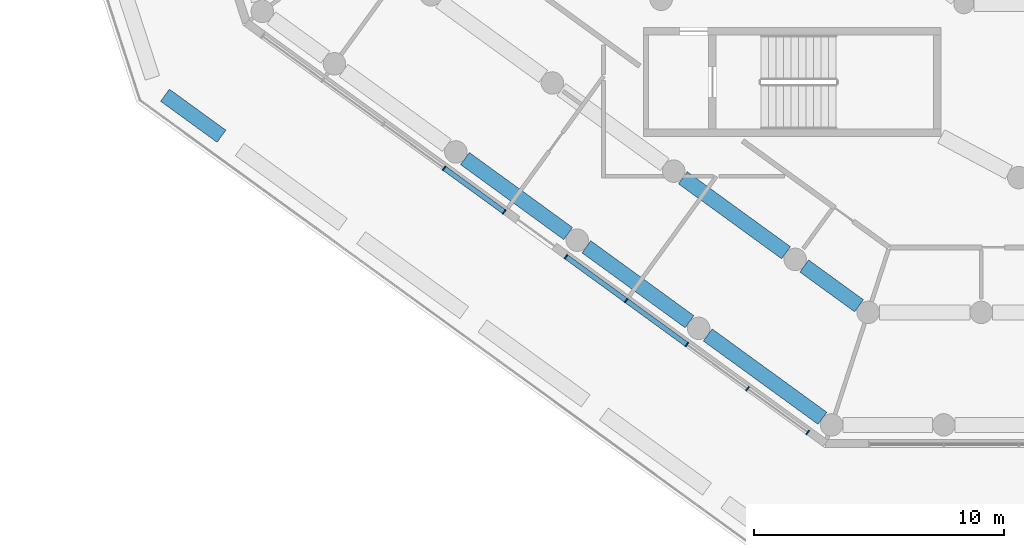
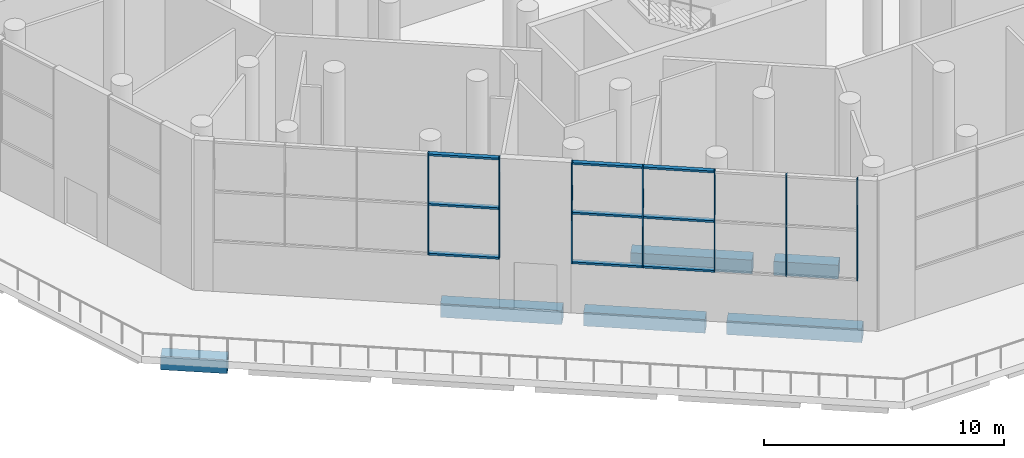
# One storey, part 2 of 23: 16 members, 6 beams, 2 elements without a shape of their own.
"""IFC4 building model written with IfcOpenShell, lengths in metres."""

from ifc_helpers import new_model, si_unit, direction, frame, origin, origin_2d, place, context, subcontext, project, spatial, rectangle, extrude, material, material_profile, profile_set, type_object, element, aggregate, save


model = new_model("IFC4")

# Units and contexts
model_context = context("Model", 3, precision=1e-05, world=origin(), true_north=direction((0.0, 1.0)))
body_context = subcontext(model_context, "Body", "Model", "MODEL_VIEW")
ifc_project = project(units=[si_unit("LENGTHUNIT", "METRE"), si_unit("AREAUNIT", "SQUARE_METRE"), si_unit("VOLUMEUNIT", "CUBIC_METRE"), si_unit("PLANEANGLEUNIT", "RADIAN"), si_unit("MASSUNIT", "GRAM", prefix="KILO")], contexts=[model_context])

# Site, building, storey
site_placement = place(None, origin())
site = spatial("IfcSite", under=ifc_project, at=site_placement, CompositionType="ELEMENT")
building_placement = place(site_placement, origin())
building = spatial("IfcBuilding", under=site, at=building_placement, Name="White Candle Pilgrim Tower", CompositionType="ELEMENT")
storey_placement = place(building_placement, frame((0.0, 0.0, 15.0)))
storey = spatial("IfcBuildingStorey", under=building, at=storey_placement, Name="L02", CompositionType="ELEMENT", Elevation=15.0)

# Curtain wall, members
ifc_material_1 = material(Name="Aluminium and glass", Category="aluminium")
curtain_wall_type = type_object("IfcCurtainWallType", Name="Curtain wall CW2 prayer hall clerestory", PredefinedType="NOTDEFINED", material=ifc_material_1)
curtain_wall_1_placement = place(storey_placement, origin())
curtain_wall_1 = element("IfcCurtainWall", 1, at=curtain_wall_1_placement, inside=storey, type_object=curtain_wall_type, Name="Curtain wall CW2 L02 SW", PredefinedType="NOTDEFINED")
ifc_material_2 = material(Name="Aluminium", Category="aluminium")
ifc_material_profile_1 = material_profile(ifc_material_2, rectangle(XDim=0.199951171875, YDim=0.050048828125, at=origin_2d()), Name="CW2 mullion 50x200")
ifc_profile_set_1 = profile_set([ifc_material_profile_1], Name="Aluminium")
member_type_1 = type_object("IfcMemberType", Name="CW2 mullion 50x200", PredefinedType="MULLION", material=ifc_profile_set_1)
member_1_placement = place(storey_placement, frame((47.021240234375, 40.0283203125, 2.5), z_axis=(0.0, 0.0, 1.0), x_axis=(0.587785249398, 0.809016996478, 0.0)))
member_1 = element("IfcMember", 2, at=member_1_placement, type_object=member_type_1, Name="CW2 mullion 4", PredefinedType="MULLION", context=body_context, shape_type="SweptSolid", body=[
    extrude(rectangle(XDim=0.199951171875, YDim=0.050048828125, at=origin_2d()), origin(), (0.0, 0.0, 1.0), 5.14990234375),
])
member_2_placement = place(storey_placement, frame((49.42822265625, 38.27978515625, 2.5), z_axis=(0.0, 0.0, 1.0), x_axis=(0.587785249398, 0.809016996478, 0.0)))
member_2 = element("IfcMember", 3, at=member_2_placement, type_object=member_type_1, Name="CW2 mullion 5", PredefinedType="MULLION", context=body_context, shape_type="SweptSolid", body=[
    extrude(rectangle(XDim=0.199951171875, YDim=0.050048828125, at=origin_2d()), origin(), (0.0, 0.0, 1.0), 5.14990234375),
])

curtain_wall_2_placement = place(storey_placement, origin())
curtain_wall_2 = element("IfcCurtainWall", 4, at=curtain_wall_2_placement, inside=storey, type_object=curtain_wall_type, Name="Curtain wall CW2 L02 SW", PredefinedType="NOTDEFINED")
member_3_placement = place(storey_placement, frame((51.8955078125, 36.487060546875, 2.5), z_axis=(0.0, 0.0, 1.0), x_axis=(0.587785249341, 0.809016996519, 0.0)))
member_3 = element("IfcMember", 5, at=member_3_placement, type_object=member_type_1, Name="CW2 mullion 1", PredefinedType="MULLION", context=body_context, shape_type="SweptSolid", body=[
    extrude(rectangle(XDim=0.199951171875, YDim=0.050048828125, at=origin_2d()), origin(), (0.0, 0.0, 1.0), 5.14990234375),
])
member_4_placement = place(storey_placement, frame((54.302490234375, 34.73828125, 2.5), z_axis=(0.0, 0.0, 1.0), x_axis=(0.587785249341, 0.809016996519, 0.0)))
member_4 = element("IfcMember", 6, at=member_4_placement, type_object=member_type_1, Name="CW2 mullion 2", PredefinedType="MULLION", context=body_context, shape_type="SweptSolid", body=[
    extrude(rectangle(XDim=0.199951171875, YDim=0.050048828125, at=origin_2d()), origin(), (0.0, 0.0, 1.0), 5.14990234375),
])
member_5_placement = place(storey_placement, frame((56.7294921875, 32.974853515625, 2.5), z_axis=(0.0, 0.0, 1.0), x_axis=(0.587785249341, 0.809016996519, 0.0)))
member_5 = element("IfcMember", 7, at=member_5_placement, type_object=member_type_1, Name="CW2 mullion 3", PredefinedType="MULLION", context=body_context, shape_type="SweptSolid", body=[
    extrude(rectangle(XDim=0.199951171875, YDim=0.050048828125, at=origin_2d()), origin(), (0.0, 0.0, 1.0), 5.14990234375),
])
member_6_placement = place(storey_placement, frame((59.156494140625, 31.211669921875, 2.5), z_axis=(0.0, 0.0, 1.0), x_axis=(0.587785249341, 0.809016996519, 0.0)))
member_6 = element("IfcMember", 8, at=member_6_placement, type_object=member_type_1, Name="CW2 mullion 4", PredefinedType="MULLION", context=body_context, shape_type="SweptSolid", body=[
    extrude(rectangle(XDim=0.199951171875, YDim=0.050048828125, at=origin_2d()), origin(), (0.0, 0.0, 1.0), 5.14990234375),
])
member_7_placement = place(storey_placement, frame((61.5634765625, 29.462890625, 2.5), z_axis=(0.0, 0.0, 1.0), x_axis=(0.587785249341, 0.809016996519, 0.0)))
member_7 = element("IfcMember", 9, at=member_7_placement, type_object=member_type_1, Name="CW2 mullion 5", PredefinedType="MULLION", context=body_context, shape_type="SweptSolid", body=[
    extrude(rectangle(XDim=0.199951171875, YDim=0.050048828125, at=origin_2d()), origin(), (0.0, 0.0, 1.0), 5.14990234375),
])

# Member
ifc_material_profile_2 = material_profile(ifc_material_2, rectangle(XDim=0.199951171875, YDim=0.10009765625, at=origin_2d()), Name="CW2 transom 100x200")
ifc_profile_set_2 = profile_set([ifc_material_profile_2], Name="Aluminium")
member_type_2 = type_object("IfcMemberType", Name="CW2 transom 100x200", PredefinedType="USERDEFINED", material=ifc_profile_set_2)
member_8_placement = place(storey_placement, frame((47.04150390625, 40.013671875, 2.550048828125), z_axis=(0.80903194638, -0.587764672073, 0.0), x_axis=(0.587764672073, 0.80903194638, 0.0)))
member_8 = element("IfcMember", 10, at=member_8_placement, type_object=member_type_2, Name="CW2 transom 4.1", ObjectType="TRANSOM", PredefinedType="USERDEFINED", context=body_context, shape_type="SweptSolid", body=[
    extrude(rectangle(XDim=0.199951171875, YDim=0.10009765625, at=origin_2d()), origin(), (0.0, 0.0, 1.0), 2.925048828125),
])

member_9_placement = place(storey_placement, frame((47.04150390625, 40.013671875, 5.074951171875), z_axis=(0.80903194638, -0.587764672073, 0.0), x_axis=(0.587764672073, 0.80903194638, 0.0)))
member_9 = element("IfcMember", 11, at=member_9_placement, type_object=member_type_2, Name="CW2 transom 4.2", ObjectType="TRANSOM", PredefinedType="USERDEFINED", context=body_context, shape_type="SweptSolid", body=[
    extrude(rectangle(XDim=0.199951171875, YDim=0.10009765625, at=origin_2d()), origin(), (0.0, 0.0, 1.0), 2.925048828125),
])

member_10_placement = place(storey_placement, frame((47.04150390625, 40.013671875, 7.60009765625), z_axis=(0.80903194638, -0.587764672073, 0.0), x_axis=(0.587764672073, 0.80903194638, 0.0)))
member_10 = element("IfcMember", 12, at=member_10_placement, type_object=member_type_2, Name="CW2 transom 4.3", ObjectType="TRANSOM", PredefinedType="USERDEFINED", context=body_context, shape_type="SweptSolid", body=[
    extrude(rectangle(XDim=0.199951171875, YDim=0.10009765625, at=origin_2d()), origin(), (0.0, 0.0, 1.0), 2.925048828125),
])

aggregate(curtain_wall_1, [member_1, member_2, member_8, member_9, member_10])

member_11_placement = place(storey_placement, frame((51.915771484375, 36.47216796875, 2.550048828125), z_axis=(0.80903194638, -0.587764672073, 0.0), x_axis=(0.587764672073, 0.80903194638, 0.0)))
member_11 = element("IfcMember", 13, at=member_11_placement, type_object=member_type_2, Name="CW2 transom 1.1", ObjectType="TRANSOM", PredefinedType="USERDEFINED", context=body_context, shape_type="SweptSolid", body=[
    extrude(rectangle(XDim=0.199951171875, YDim=0.10009765625, at=origin_2d()), origin(), (0.0, 0.0, 1.0), 2.925048828125),
])

member_12_placement = place(storey_placement, frame((51.915771484375, 36.47216796875, 5.074951171875), z_axis=(0.80903194638, -0.587764672073, 0.0), x_axis=(0.587764672073, 0.80903194638, 0.0)))
member_12 = element("IfcMember", 14, at=member_12_placement, type_object=member_type_2, Name="CW2 transom 1.2", ObjectType="TRANSOM", PredefinedType="USERDEFINED", context=body_context, shape_type="SweptSolid", body=[
    extrude(rectangle(XDim=0.199951171875, YDim=0.10009765625, at=origin_2d()), origin(), (0.0, 0.0, 1.0), 2.925048828125),
])

member_13_placement = place(storey_placement, frame((51.915771484375, 36.47216796875, 7.60009765625), z_axis=(0.80903194638, -0.587764672073, 0.0), x_axis=(0.587764672073, 0.80903194638, 0.0)))
member_13 = element("IfcMember", 15, at=member_13_placement, type_object=member_type_2, Name="CW2 transom 1.3", ObjectType="TRANSOM", PredefinedType="USERDEFINED", context=body_context, shape_type="SweptSolid", body=[
    extrude(rectangle(XDim=0.199951171875, YDim=0.10009765625, at=origin_2d()), origin(), (0.0, 0.0, 1.0), 2.925048828125),
])

member_14_placement = place(storey_placement, frame((54.32275390625, 34.7236328125, 2.550048828125), z_axis=(0.809015152931, -0.587787786815, 0.0), x_axis=(0.587787786815, 0.809015152931, 0.0)))
member_14 = element("IfcMember", 16, at=member_14_placement, type_object=member_type_2, Name="CW2 transom 2.1", ObjectType="TRANSOM", PredefinedType="USERDEFINED", context=body_context, shape_type="SweptSolid", body=[
    extrude(rectangle(XDim=0.199951171875, YDim=0.10009765625, at=origin_2d()), origin(), (0.0, 0.0, 1.0), 2.949951171875),
])

member_15_placement = place(storey_placement, frame((54.32275390625, 34.7236328125, 5.074951171875), z_axis=(0.809015152931, -0.587787786815, 0.0), x_axis=(0.587787786815, 0.809015152931, 0.0)))
member_15 = element("IfcMember", 17, at=member_15_placement, type_object=member_type_2, Name="CW2 transom 2.2", ObjectType="TRANSOM", PredefinedType="USERDEFINED", context=body_context, shape_type="SweptSolid", body=[
    extrude(rectangle(XDim=0.199951171875, YDim=0.10009765625, at=origin_2d()), origin(), (0.0, 0.0, 1.0), 2.949951171875),
])

member_16_placement = place(storey_placement, frame((54.32275390625, 34.7236328125, 7.60009765625), z_axis=(0.809015152931, -0.587787786815, 0.0), x_axis=(0.587787786815, 0.809015152931, 0.0)))
member_16 = element("IfcMember", 18, at=member_16_placement, type_object=member_type_2, Name="CW2 transom 2.3", ObjectType="TRANSOM", PredefinedType="USERDEFINED", context=body_context, shape_type="SweptSolid", body=[
    extrude(rectangle(XDim=0.199951171875, YDim=0.10009765625, at=origin_2d()), origin(), (0.0, 0.0, 1.0), 2.949951171875),
])

aggregate(curtain_wall_2, [member_3, member_4, member_5, member_6, member_7, member_11, member_12, member_13, member_14, member_15, member_16])

# Beams
ifc_material_3 = material(Name="Concrete C50/60", Category="concrete")
ifc_material_profile_3 = material_profile(ifc_material_3, rectangle(XDim=0.60009765625, YDim=0.699951171875, at=origin_2d()), Name="RC-BM 600x700")
ifc_profile_set_3 = profile_set([ifc_material_profile_3], Name="Concrete C50/60")
beam_type = type_object("IfcBeamType", Name="Spandrel beam RC-BM 600x700 C50/60", PredefinedType="BEAM", material=ifc_profile_set_3)
beam_1_placement = place(storey_placement, frame((35.86083984375, 42.945556640625, -0.699951171875), z_axis=(0.809030737429, -0.587766336136, 0.0), x_axis=(0.587766336136, 0.809030737429, 0.0)))
element("IfcBeam", 19, at=beam_1_placement, inside=storey, type_object=beam_type, Name="L02 spandrel beam A04", PredefinedType="BEAM", context=body_context, shape_type="SweptSolid", body=[
    extrude(rectangle(XDim=0.60009765625, YDim=0.699951171875, at=origin_2d()), origin(), (0.0, 0.0, 1.0), 2.793701171875),
])
beam_2_placement = place(storey_placement, frame((47.85595703125, 40.41162109375, -0.699951171875), z_axis=(0.808978190317, -0.587838657789, 0.0), x_axis=(0.587838657789, 0.808978190317, 0.0)))
element("IfcBeam", 20, at=beam_2_placement, inside=storey, type_object=beam_type, Name="L02 spandrel beam B05", PredefinedType="BEAM", context=body_context, shape_type="SweptSolid", body=[
    extrude(rectangle(XDim=0.60009765625, YDim=0.699951171875, at=origin_2d()), origin(), (0.0, 0.0, 1.0), 5.1005859375),
])
beam_3_placement = place(storey_placement, frame((52.7099609375, 36.884521484375, -0.699951171875), z_axis=(0.80900095282, -0.587807330965, 0.0), x_axis=(0.587807330965, 0.80900095282, 0.0)))
element("IfcBeam", 21, at=beam_3_placement, inside=storey, type_object=beam_type, Name="L02 spandrel beam B06", PredefinedType="BEAM", context=body_context, shape_type="SweptSolid", body=[
    extrude(rectangle(XDim=0.60009765625, YDim=0.699951171875, at=origin_2d()), origin(), (0.0, 0.0, 1.0), 5.100341796875),
])
beam_4_placement = place(storey_placement, frame((57.56396484375, 33.357666015625, -0.699951171875), z_axis=(0.808998591139, -0.587810581339, 0.0), x_axis=(0.587810581339, 0.808998591139, 0.0)))
element("IfcBeam", 22, at=beam_4_placement, inside=storey, type_object=beam_type, Name="L02 spandrel beam B07", PredefinedType="BEAM", context=body_context, shape_type="SweptSolid", body=[
    extrude(rectangle(XDim=0.60009765625, YDim=0.699951171875, at=origin_2d()), origin(), (0.0, 0.0, 1.0), 5.6689453125),
])
beam_5_placement = place(storey_placement, frame((56.56787109375, 39.6435546875, -0.699951171875), z_axis=(0.80900095282, -0.587807330965, 0.0), x_axis=(0.587807330965, 0.80900095282, 0.0)))
element("IfcBeam", 23, at=beam_5_placement, inside=storey, type_object=beam_type, Name="L02 spandrel beam C05", PredefinedType="BEAM", context=body_context, shape_type="SweptSolid", body=[
    extrude(rectangle(XDim=0.60009765625, YDim=0.699951171875, at=origin_2d()), origin(), (0.0, 0.0, 1.0), 5.100341796875),
])
beam_6_placement = place(storey_placement, frame((61.421875, 36.11669921875, -0.699951171875), z_axis=(0.809008975915, -0.587796288598, 0.0), x_axis=(0.587796288598, 0.809008975915, 0.0)))
element("IfcBeam", 24, at=beam_6_placement, inside=storey, type_object=beam_type, Name="L02 spandrel beam C06", PredefinedType="BEAM", context=body_context, shape_type="SweptSolid", body=[
    extrude(rectangle(XDim=0.60009765625, YDim=0.699951171875, at=origin_2d()), origin(), (0.0, 0.0, 1.0), 2.707275390625),
])

save(model, "model.ifc")
